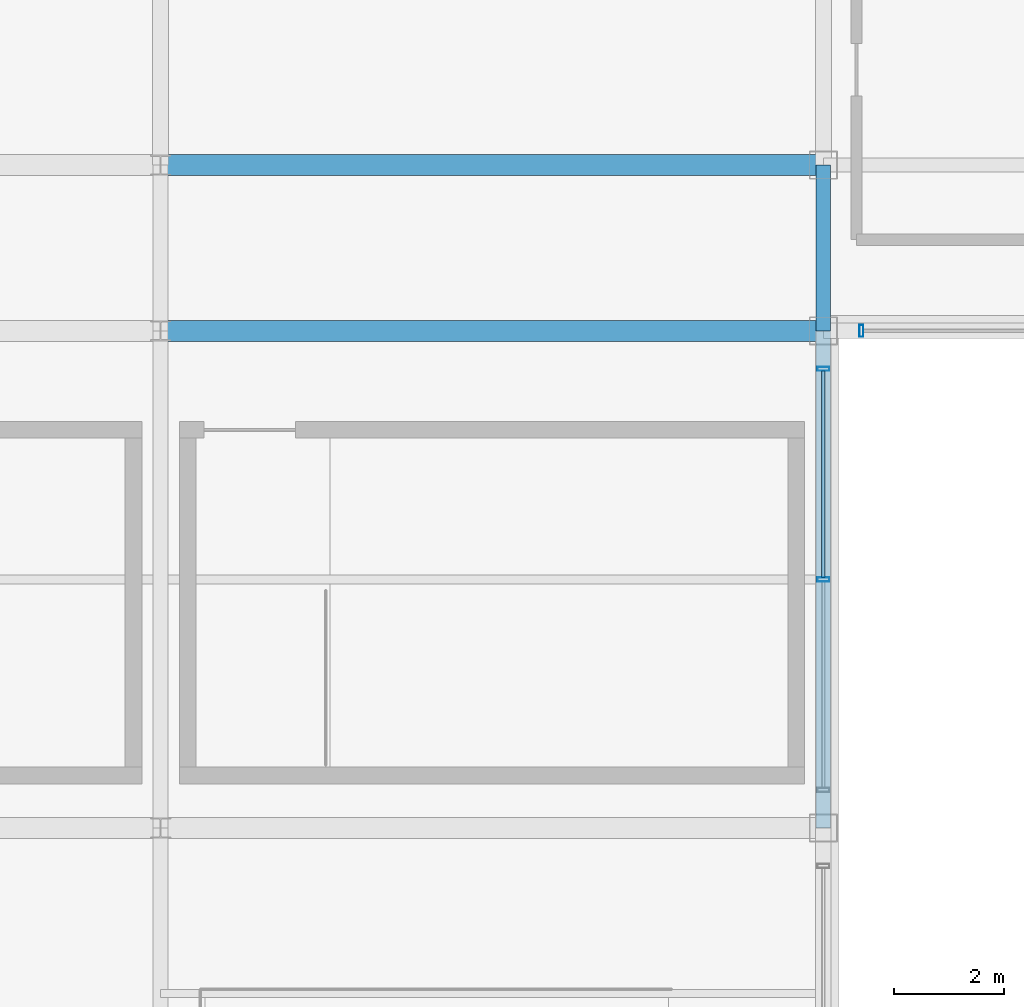
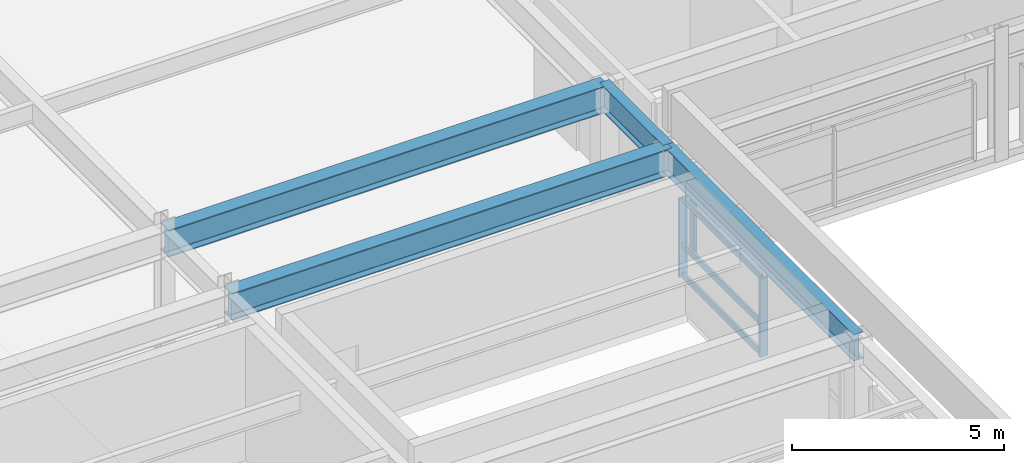
# One storey, part 68 of 108: 6 members, 4 beams, 2 elements without a shape of their own.
"""IFC4 building model written with IfcOpenShell, lengths in metres."""

from ifc_helpers import new_model, si_unit, direction, frame, origin, origin_2d, place, context, subcontext, project, spatial, hollow_rectangle, i_section, extrude, material, material_profile, profile_set, type_object, element, aggregate, save


model = new_model("IFC4")

# Units and contexts
model_context = context("Model", 3, precision=1e-05, world=origin(), true_north=direction((0.0, 1.0)))
body_context = subcontext(model_context, "Body", "Model", "MODEL_VIEW")
ifc_project = project(units=[si_unit("LENGTHUNIT", "METRE"), si_unit("AREAUNIT", "SQUARE_METRE"), si_unit("VOLUMEUNIT", "CUBIC_METRE"), si_unit("PLANEANGLEUNIT", "RADIAN"), si_unit("MASSUNIT", "GRAM", prefix="KILO")], contexts=[model_context])

# Site, building, storey
site_placement = place(None, origin())
site = spatial("IfcSite", under=ifc_project, at=site_placement, CompositionType="ELEMENT")
building_placement = place(site_placement, origin())
building = spatial("IfcBuilding", under=site, at=building_placement, Name="Kaldorvane Square Convention Centre", CompositionType="ELEMENT")
storey_placement = place(building_placement, frame((0.0, 0.0, 23.399993896484375)))
storey = spatial("IfcBuildingStorey", under=building, at=storey_placement, Name="L04", CompositionType="ELEMENT", Elevation=23.399993896484375)

# Beams
ifc_material_1 = material(Name="Steel ASTM A992 Gr. 50", Category="steel")
ifc_material_profile_1 = material_profile(ifc_material_1, i_section(OverallWidth=0.2666015625, OverallDepth=0.762298583984375, WebThickness=0.014404296875, FlangeThickness=0.0216064453125, FilletRadius=0.0164947509765625, at=origin_2d()), Name="W30X116")
ifc_profile_set_1 = profile_set([ifc_material_profile_1], Name="Steel ASTM A992 Gr. 50")
beam_type_1 = type_object("IfcBeamType", Name="BM-GR-W30X116", PredefinedType="BEAM", material=ifc_profile_set_1)
beam_1_placement = place(storey_placement, frame((138.0, 72.0, 3.144805908203125), z_axis=(0.0, 1.0, 0.0), x_axis=(-1.0, 0.0, 0.0)))
element("IfcBeam", 1, at=beam_1_placement, inside=storey, type_object=beam_type_1, Name="Transverse Girder (L04)", PredefinedType="BEAM", context=body_context, shape_type="SweptSolid", body=[
    extrude(i_section(OverallWidth=0.2666015625, OverallDepth=0.762298583984375, WebThickness=0.014404296875, FlangeThickness=0.0216064453125, FilletRadius=0.0164947509765625, at=origin_2d()), origin(), (0.0, 0.0, 1.0), 9.0),
])
beam_2_placement = place(storey_placement, frame((138.0, 81.0, 3.144805908203125), z_axis=(0.0, 1.0, 0.0), x_axis=(-1.0, 0.0, 0.0)))
element("IfcBeam", 2, at=beam_2_placement, inside=storey, type_object=beam_type_1, Name="Transverse Girder (L04)", PredefinedType="BEAM", context=body_context, shape_type="SweptSolid", body=[
    extrude(i_section(OverallWidth=0.2666015625, OverallDepth=0.762298583984375, WebThickness=0.014404296875, FlangeThickness=0.0216064453125, FilletRadius=0.0164947509765625, at=origin_2d()), origin(), (0.0, 0.0, 1.0), 3.0),
])
ifc_material_profile_2 = material_profile(ifc_material_1, i_section(OverallWidth=0.380706787109375, OverallDepth=0.773193359375, WebThickness=0.0166015625, FlangeThickness=0.027099609375, FilletRadius=0.0164947509765625, at=origin_2d()), Name="W30X173")
ifc_profile_set_2 = profile_set([ifc_material_profile_2], Name="Steel ASTM A992 Gr. 50")
beam_type_2 = type_object("IfcBeamType", Name="BM-GR-W30X173", PredefinedType="BEAM", material=ifc_profile_set_2)
for number, where, z_axis, x_axis, name in (
    (3, (126.0, 81.0, 3.139404296875), (1.0, 0.0, 0.0), (0.0, 1.0, 0.0), "Primary Girder (L04)"),
    (4, (126.0, 84.0, 3.139404296875), (1.0, 0.0, 0.0), (0.0, 1.0, 0.0), "Primary Girder (L04)"),
):
    element("IfcBeam", number, at=place(storey_placement, frame(where, z_axis=z_axis, x_axis=x_axis)), inside=storey, type_object=beam_type_2, Name=name, PredefinedType="BEAM", context=body_context, shape_type="SweptSolid", body=[
        extrude(i_section(OverallWidth=0.380706787109375, OverallDepth=0.773193359375, WebThickness=0.0166015625, FlangeThickness=0.027099609375, FilletRadius=0.0164947509765625, at=origin_2d()), origin(), (0.0, 0.0, 1.0), 12.0),
    ])

# Curtain wall, members
ifc_material_2 = material(Name="Anodized Aluminum and Low-E Insulated Glazing", Category="aluminium")
curtain_wall_type = type_object("IfcCurtainWallType", Name="CW-PTS-FC-42", PredefinedType="USERDEFINED", material=ifc_material_2)
curtain_wall_1_placement = place(storey_placement, origin())
curtain_wall_1 = element("IfcCurtainWall", 5, at=curtain_wall_1_placement, inside=storey, type_object=curtain_wall_type, Name="Curtain Wall CW-09 (L04)", ObjectType="POINT SUPPORTED GLAZING", PredefinedType="USERDEFINED")
ifc_material_profile_3 = material_profile(ifc_material_2, hollow_rectangle(XDim=0.0749969482421875, YDim=0.220001220703125, WallThickness=0.003997802734375, at=origin_2d()), Name="CWM-220X75")
ifc_profile_set_3 = profile_set([ifc_material_profile_3], Name="Anodized Aluminum and Low-E Insulated Glazing")
member_type_1 = type_object("IfcMemberType", Name="CW-MUL-220", PredefinedType="MULLION", material=ifc_profile_set_3)
member_1_placement = place(storey_placement, frame((138.0, 76.5, 0.1500091552734375), z_axis=(0.0, 0.0, 1.0), x_axis=(0.0, 1.0, 0.0)))
member_1 = element("IfcMember", 6, at=member_1_placement, type_object=member_type_1, Name="CW-09 mullion 2", PredefinedType="MULLION", context=body_context, shape_type="SweptSolid", body=[
    extrude(hollow_rectangle(XDim=0.0749969482421875, YDim=0.220001220703125, WallThickness=0.003997802734375, at=origin_2d()), origin(), (0.0, 0.0, 1.0), 2.2599945068359375),
])
member_2_placement = place(storey_placement, frame((138.0, 80.3125, 0.1500091552734375), z_axis=(0.0, 0.0, 1.0), x_axis=(0.0, 1.0, 0.0)))
member_2 = element("IfcMember", 7, at=member_2_placement, type_object=member_type_1, Name="CW-09 mullion 3", PredefinedType="MULLION", context=body_context, shape_type="SweptSolid", body=[
    extrude(hollow_rectangle(XDim=0.0749969482421875, YDim=0.220001220703125, WallThickness=0.003997802734375, at=origin_2d()), origin(), (0.0, 0.0, 1.0), 2.2599945068359375),
])

# Curtain wall, member
curtain_wall_2_placement = place(storey_placement, origin())
curtain_wall_2 = element("IfcCurtainWall", 8, at=curtain_wall_2_placement, inside=storey, type_object=curtain_wall_type, Name="Curtain Wall CW-09 (L04)", ObjectType="POINT SUPPORTED GLAZING", PredefinedType="USERDEFINED")
member_3_placement = place(storey_placement, frame((138.6875, 81.0, 0.1500091552734375), z_axis=(0.0, 0.0, 1.0), x_axis=(1.0, 0.0, 0.0)))
member_3 = element("IfcMember", 9, at=member_3_placement, type_object=member_type_1, Name="CW-09 mullion 1", PredefinedType="MULLION", context=body_context, shape_type="SweptSolid", body=[
    extrude(hollow_rectangle(XDim=0.0749969482421875, YDim=0.220001220703125, WallThickness=0.003997802734375, at=origin_2d()), origin(), (0.0, 0.0, 1.0), 2.2599945068359375),
])
aggregate(curtain_wall_2, [member_3])

# Member
ifc_material_profile_4 = material_profile(ifc_material_2, hollow_rectangle(XDim=0.06500244140625, YDim=0.17999267578125, WallThickness=0.0034942626953125, at=origin_2d()), Name="CWT-180X65")
ifc_profile_set_4 = profile_set([ifc_material_profile_4], Name="Anodized Aluminum and Low-E Insulated Glazing")
member_type_2 = type_object("IfcMemberType", Name="CW-TRN-180", PredefinedType="USERDEFINED", material=ifc_profile_set_4)
member_4_placement = place(storey_placement, frame((138.0, 76.53750610351562, 0.1825103759765625), z_axis=(0.0, 1.0, 0.0), x_axis=(-1.0, 0.0, 0.0)))
member_4 = element("IfcMember", 10, at=member_4_placement, type_object=member_type_2, Name="CW-09 transom 2.1", ObjectType="TRANSOM", PredefinedType="USERDEFINED", context=body_context, shape_type="SweptSolid", body=[
    extrude(hollow_rectangle(XDim=0.06500244140625, YDim=0.17999267578125, WallThickness=0.0034942626953125, at=origin_2d()), origin(), (0.0, 0.0, 1.0), 3.73748779296875),
])

member_5_placement = place(storey_placement, frame((138.0, 76.53750610351562, 1.0500030517578125), z_axis=(0.0, 1.0, 0.0), x_axis=(-1.0, 0.0, 0.0)))
member_5 = element("IfcMember", 11, at=member_5_placement, type_object=member_type_2, Name="CW-09 transom 2.2", ObjectType="TRANSOM", PredefinedType="USERDEFINED", context=body_context, shape_type="SweptSolid", body=[
    extrude(hollow_rectangle(XDim=0.06500244140625, YDim=0.17999267578125, WallThickness=0.0034942626953125, at=origin_2d()), origin(), (0.0, 0.0, 1.0), 3.73748779296875),
])

member_6_placement = place(storey_placement, frame((138.0, 76.53750610351562, 2.37750244140625), z_axis=(0.0, 1.0, 0.0), x_axis=(-1.0, 0.0, 0.0)))
member_6 = element("IfcMember", 12, at=member_6_placement, type_object=member_type_2, Name="CW-09 transom 2.3", ObjectType="TRANSOM", PredefinedType="USERDEFINED", context=body_context, shape_type="SweptSolid", body=[
    extrude(hollow_rectangle(XDim=0.06500244140625, YDim=0.17999267578125, WallThickness=0.0034942626953125, at=origin_2d()), origin(), (0.0, 0.0, 1.0), 3.73748779296875),
])

aggregate(curtain_wall_1, [member_1, member_2, member_4, member_5, member_6])

save(model, "model.ifc")
